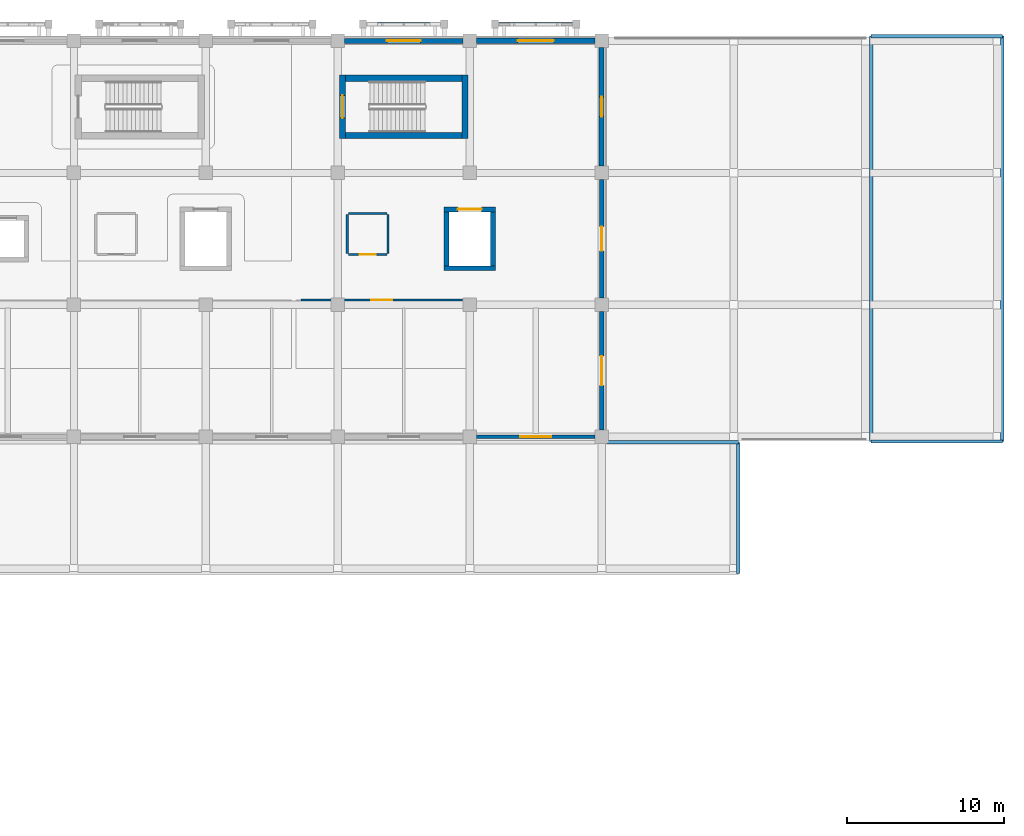
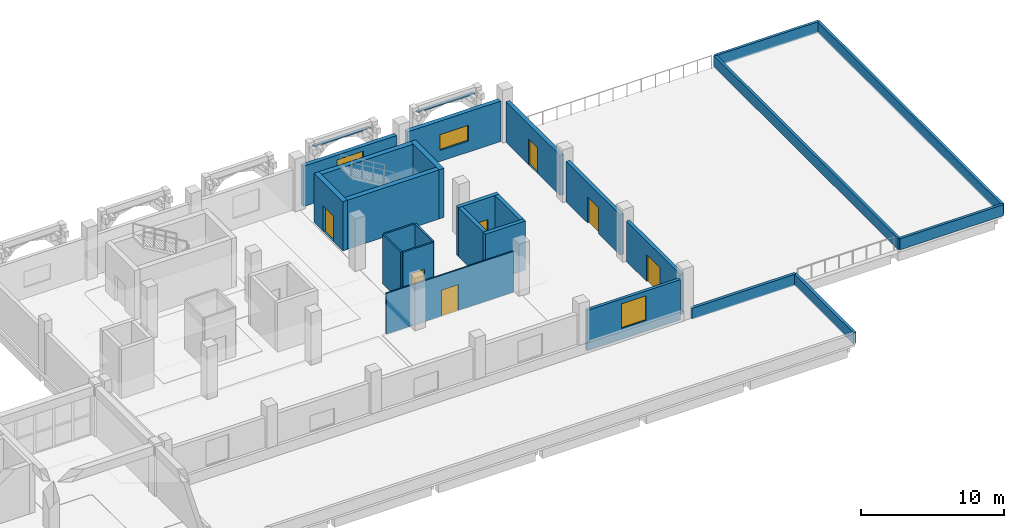
# One storey, part 115 of 129: 27 walls, 7 doors, 3 windows, 10 openings.
"""IFC4 building model written with IfcOpenShell, lengths in metres."""

from ifc_helpers import new_model, si_unit, direction, frame, frame_2d, origin, place, context, subcontext, project, spatial, rectangle, extrude, material, layer, layer_set, type_object, element, fill, save


model = new_model("IFC4")

# Units and contexts
model_context = context("Model", 3, precision=1e-05, world=origin(), true_north=direction((0.0, 1.0)))
body_context = subcontext(model_context, "Body", "Model", "MODEL_VIEW")
ifc_project = project(units=[si_unit("LENGTHUNIT", "METRE"), si_unit("AREAUNIT", "SQUARE_METRE"), si_unit("VOLUMEUNIT", "CUBIC_METRE"), si_unit("PLANEANGLEUNIT", "RADIAN"), si_unit("MASSUNIT", "GRAM", prefix="KILO")], contexts=[model_context])

# Site, building, storey
site_placement = place(None, origin())
site = spatial("IfcSite", under=ifc_project, at=site_placement, CompositionType="ELEMENT")
building_placement = place(site_placement, origin())
building = spatial("IfcBuilding", under=site, at=building_placement, Name="Xazarin Passage Department Store", CompositionType="ELEMENT")
storey_placement = place(building_placement, frame((0.0, 0.0, 9.89990234375)))
storey = spatial("IfcBuildingStorey", under=building, at=storey_placement, Name="L02", CompositionType="ELEMENT", Elevation=9.89990234375)

# Wall, opening, window
ifc_material_1 = material(Name="Precast concrete C40/50", Category="concrete")
ifc_layer_1 = layer(ifc_material_1, 0.239990234375)
ifc_layer_set_1 = layer_set([ifc_layer_1], Name="Precast concrete C40/50")
wall_type_1 = type_object("IfcWallType", Name="ARC-W-EXT240", PredefinedType="SOLIDWALL", material=ifc_layer_set_1)
wall_1_placement = place(storey_placement, frame((136.425048828125, 84.800048828125, 0.0), z_axis=(0.0, 0.0, 1.0), x_axis=(1.0, 0.0, 0.0)))
wall_1 = element("IfcWall", 1, at=wall_1_placement, inside=storey, type_object=wall_type_1, Name="L02 V4 Exterior Wall 299", PredefinedType="SOLIDWALL", context=body_context, shape_type="SweptSolid", body=[
    extrude(rectangle(XDim=7.550048828125, YDim=0.239990234375, at=frame_2d((3.77490234375, 0.0))), origin(), (0.0, 0.0, 1.0), 3.4501953125),
])
opening_1_placement = place(wall_1_placement, frame((2.77490234375, 0.0, 0.949951171875)))
opening_1 = element("IfcOpeningElement", 2, at=opening_1_placement, cuts=wall_1, Name="Opening W32", PredefinedType="OPENING", context=body_context, shape_type="SweptSolid", body=[
    extrude(rectangle(XDim=2.0, YDim=2.10009765625, at=frame_2d((1.0, 1.050048828125))), frame((0.0, 0.1298828125, 0.0), z_axis=(0.0, -1.0, 0.0), x_axis=(1.0, 0.0, 0.0)), (0.0, 0.0, 1.0), 0.260009765625),
])
ifc_material_2 = material(Name="Low-E laminated safety glass", Category="glass")
window_type_1 = type_object("IfcWindowType", Name="ARC-WIN-W32", PartitioningType="DOUBLE_PANEL_VERTICAL", PredefinedType="WINDOW", material=ifc_material_2)
window_1_placement = place(opening_1_placement, origin())
window_1 = element("IfcWindow", 3, at=window_1_placement, inside=storey, type_object=window_type_1, Name="L02 V4 Facade Window 0080", OverallHeight=2.10009765625, OverallWidth=2.0, PartitioningType="DOUBLE_PANEL_VERTICAL", PredefinedType="WINDOW", context=body_context, shape_type="SweptSolid", body=[
    extrude(rectangle(XDim=2.0, YDim=2.10009765625, at=frame_2d((1.0, 1.050048828125))), frame((0.0, 0.030029296875, 0.0), z_axis=(0.0, -1.0, 0.0), x_axis=(1.0, 0.0, 0.0)), (0.0, 0.0, 1.0), 0.06005859375),
])
fill(opening_1, window_1)

# Wall, opening, door
ifc_layer_2 = layer(ifc_material_1, 0.280029296875)
ifc_layer_set_2 = layer_set([ifc_layer_2], Name="Precast concrete C40/50")
wall_type_2 = type_object("IfcWallType", Name="ARC-W-EXT280", PredefinedType="SOLIDWALL", material=ifc_layer_set_2)
wall_2_placement = place(storey_placement, frame((144.39990234375, 85.22509765625, 0.0), z_axis=(0.0, 0.0, 1.0), x_axis=(0.0, 1.0, 0.0)))
wall_2 = element("IfcWall", 4, at=wall_2_placement, inside=storey, type_object=wall_type_2, Name="L02 V4 Exterior Wall 308", PredefinedType="SOLIDWALL", context=body_context, shape_type="SweptSolid", body=[
    extrude(rectangle(XDim=7.5498046875, YDim=0.280029296875, at=frame_2d((3.77490234375, 0.0))), origin(), (0.0, 0.0, 1.0), 3.4501953125),
])
opening_2_placement = place(wall_2_placement, frame((2.85009765625, 0.0, 0.0)))
opening_2 = element("IfcOpeningElement", 5, at=opening_2_placement, cuts=wall_2, Name="Opening TD1", PredefinedType="OPENING", context=body_context, shape_type="SweptSolid", body=[
    extrude(rectangle(XDim=1.85009765625, YDim=2.300048828125, at=frame_2d((0.925048828125, 1.14990234375))), frame((0.0, 0.14990234375, 0.0), z_axis=(0.0, -1.0, 0.0), x_axis=(1.0, 0.0, 0.0)), (0.0, 0.0, 1.0), 0.300048828125),
])
ifc_material_3 = material(Name="Bronze anodised aluminium", Category="aluminium")
door_type_1 = type_object("IfcDoorType", Name="ARC-DR-TER185", OperationType="NOTDEFINED", PredefinedType="DOOR", material=ifc_material_3)
door_1_placement = place(opening_2_placement, origin())
door_1 = element("IfcDoor", 6, at=door_1_placement, inside=storey, type_object=door_type_1, Name="DR-TER-L02-031", OperationType="DOUBLE_DOOR_SINGLE_SWING", OverallHeight=2.300048828125, OverallWidth=1.85009765625, PredefinedType="DOOR", context=body_context, shape_type="SweptSolid", body=[
    extrude(rectangle(XDim=1.85009765625, YDim=2.300048828125, at=frame_2d((0.925048828125, 1.14990234375))), frame((0.0, 0.02490234375, 0.0), z_axis=(0.0, -1.0, 0.0), x_axis=(1.0, 0.0, 0.0)), (0.0, 0.0, 1.0), 0.050048828125),
])
fill(opening_2, door_1)

ifc_layer_3 = layer(ifc_material_1, 0.300048828125)
ifc_layer_set_3 = layer_set([ifc_layer_3], Name="Precast concrete C40/50")
wall_type_3 = type_object("IfcWallType", Name="ARC-W-EXT300", PredefinedType="SOLIDWALL", material=ifc_layer_set_3)
wall_3_placement = place(storey_placement, frame((144.39990234375, 93.625, 0.0), z_axis=(0.0, 0.0, 1.0), x_axis=(0.0, 1.0, 0.0)))
wall_3 = element("IfcWall", 7, at=wall_3_placement, inside=storey, type_object=wall_type_3, Name="L02 V4 Exterior Wall 309", PredefinedType="SOLIDWALL", context=body_context, shape_type="SweptSolid", body=[
    extrude(rectangle(XDim=7.550048828125, YDim=0.300048828125, at=frame_2d((3.77490234375, 0.0))), origin(), (0.0, 0.0, 1.0), 3.4501953125),
])
opening_3_placement = place(wall_3_placement, frame((3.0, 0.0, 0.0)))
opening_3 = element("IfcOpeningElement", 8, at=opening_3_placement, cuts=wall_3, Name="Opening TD2", PredefinedType="OPENING", context=body_context, shape_type="SweptSolid", body=[
    extrude(rectangle(XDim=1.550048828125, YDim=2.25, at=frame_2d((0.77490234375, 1.125))), frame((0.0, 0.159912109375, 0.0), z_axis=(0.0, -1.0, 0.0), x_axis=(1.0, 0.0, 0.0)), (0.0, 0.0, 1.0), 0.320068359375),
])
door_type_2 = type_object("IfcDoorType", Name="ARC-DR-TER155", OperationType="NOTDEFINED", PredefinedType="DOOR", material=ifc_material_3)
door_2_placement = place(opening_3_placement, origin())
door_2 = element("IfcDoor", 9, at=door_2_placement, inside=storey, type_object=door_type_2, Name="DR-TER-L02-032", OperationType="SINGLE_SWING_LEFT", OverallHeight=2.25, OverallWidth=1.550048828125, PredefinedType="DOOR", context=body_context, shape_type="SweptSolid", body=[
    extrude(rectangle(XDim=1.550048828125, YDim=2.25, at=frame_2d((0.77490234375, 1.125))), frame((0.0, 0.02490234375, 0.0), z_axis=(0.0, -1.0, 0.0), x_axis=(1.0, 0.0, 0.0)), (0.0, 0.0, 1.0), 0.050048828125),
])
fill(opening_3, door_2)

# Wall, opening, window
ifc_material_4 = material(Name="Buff Baku clay brick", Category="masonry")
ifc_layer_4 = layer(ifc_material_4, 0.320068359375)
ifc_layer_set_4 = layer_set([ifc_layer_4], Name="Buff Baku clay brick")
wall_type_4 = type_object("IfcWallType", Name="ARC-W-EXT320", PredefinedType="SOLIDWALL", material=ifc_layer_set_4)
wall_4_placement = place(storey_placement, frame((128.02490234375, 110.0, 0.0), z_axis=(0.0, 0.0, 1.0), x_axis=(1.0, 0.0, 0.0)))
wall_4 = element("IfcWall", 10, at=wall_4_placement, inside=storey, type_object=wall_type_4, Name="L02 V4 Exterior Wall 303", PredefinedType="SOLIDWALL", context=body_context, shape_type="SweptSolid", body=[
    extrude(rectangle(XDim=7.550048828125, YDim=0.320068359375, at=frame_2d((3.77490234375, 0.0))), origin(), (0.0, 0.0, 1.0), 3.4501953125),
])
opening_4_placement = place(wall_4_placement, frame((2.699951171875, 0.0, 0.949951171875)))
opening_4 = element("IfcOpeningElement", 11, at=opening_4_placement, cuts=wall_4, Name="Opening W36", PredefinedType="OPENING", context=body_context, shape_type="SweptSolid", body=[
    extrude(rectangle(XDim=2.14990234375, YDim=2.10009765625, at=frame_2d((1.074951171875, 1.050048828125))), frame((0.0, 0.169921875, 0.0), z_axis=(0.0, -1.0, 0.0), x_axis=(1.0, 0.0, 0.0)), (0.0, 0.0, 1.0), 0.340087890625),
])
window_type_2 = type_object("IfcWindowType", Name="ARC-WIN-W36", PartitioningType="DOUBLE_PANEL_VERTICAL", PredefinedType="WINDOW", material=ifc_material_2)
window_2_placement = place(opening_4_placement, origin())
window_2 = element("IfcWindow", 12, at=window_2_placement, inside=storey, type_object=window_type_2, Name="L02 V4 Facade Window 0084", OverallHeight=2.10009765625, OverallWidth=2.14990234375, PartitioningType="DOUBLE_PANEL_VERTICAL", PredefinedType="WINDOW", context=body_context, shape_type="SweptSolid", body=[
    extrude(rectangle(XDim=2.14990234375, YDim=2.10009765625, at=frame_2d((1.074951171875, 1.050048828125))), frame((0.0, 0.030029296875, 0.0), z_axis=(0.0, -1.0, 0.0), x_axis=(1.0, 0.0, 0.0)), (0.0, 0.0, 1.0), 0.06005859375),
])
fill(opening_4, window_2)

# Wall, opening, door
wall_5_placement = place(storey_placement, frame((144.39990234375, 102.02490234375, 0.0), z_axis=(0.0, 0.0, 1.0), x_axis=(0.0, 1.0, 0.0)))
wall_5 = element("IfcWall", 13, at=wall_5_placement, inside=storey, type_object=wall_type_4, Name="L02 V4 Exterior Wall 310", PredefinedType="SOLIDWALL", context=body_context, shape_type="SweptSolid", body=[
    extrude(rectangle(XDim=7.550048828125, YDim=0.320068359375, at=frame_2d((3.77490234375, 0.0))), origin(), (0.0, 0.0, 1.0), 3.4501953125),
])
opening_5_placement = place(wall_5_placement, frame((3.14990234375, 0.0, 0.0)))
opening_5 = element("IfcOpeningElement", 14, at=opening_5_placement, cuts=wall_5, Name="Opening TD3", PredefinedType="OPENING", context=body_context, shape_type="SweptSolid", body=[
    extrude(rectangle(XDim=1.25, YDim=2.199951171875, at=frame_2d((0.625, 1.10009765625))), frame((0.0, 0.169921875, 0.0), z_axis=(0.0, -1.0, 0.0), x_axis=(1.0, 0.0, 0.0)), (0.0, 0.0, 1.0), 0.340087890625),
])
door_type_3 = type_object("IfcDoorType", Name="ARC-DR-TER125", OperationType="NOTDEFINED", PredefinedType="DOOR", material=ifc_material_3)
door_3_placement = place(opening_5_placement, origin())
door_3 = element("IfcDoor", 15, at=door_3_placement, inside=storey, type_object=door_type_3, Name="DR-TER-L02-033", OperationType="SINGLE_SWING_RIGHT", OverallHeight=2.199951171875, OverallWidth=1.25, PredefinedType="DOOR", context=body_context, shape_type="SweptSolid", body=[
    extrude(rectangle(XDim=1.25, YDim=2.199951171875, at=frame_2d((0.625, 1.10009765625))), frame((0.0, 0.02490234375, 0.0), z_axis=(0.0, -1.0, 0.0), x_axis=(1.0, 0.0, 0.0)), (0.0, 0.0, 1.0), 0.050048828125),
])
fill(opening_5, door_3)

# Wall, opening, window
ifc_material_5 = material(Name="Absheron limestone cladding", Category="masonry")
ifc_layer_5 = layer(ifc_material_5, 0.340087890625)
ifc_layer_set_5 = layer_set([ifc_layer_5], Name="Absheron limestone cladding")
wall_type_5 = type_object("IfcWallType", Name="ARC-W-EXT340", PredefinedType="SOLIDWALL", material=ifc_layer_set_5)
wall_6_placement = place(storey_placement, frame((136.425048828125, 110.0, 0.0), z_axis=(0.0, 0.0, 1.0), x_axis=(1.0, 0.0, 0.0)))
wall_6 = element("IfcWall", 16, at=wall_6_placement, inside=storey, type_object=wall_type_5, Name="L02 V4 Exterior Wall 304", PredefinedType="SOLIDWALL", context=body_context, shape_type="SweptSolid", body=[
    extrude(rectangle(XDim=7.550048828125, YDim=0.340087890625, at=frame_2d((3.77490234375, 0.0))), origin(), (0.0, 0.0, 1.0), 3.4501953125),
])
opening_6_placement = place(wall_6_placement, frame((2.625, 0.0, 0.949951171875)))
opening_6 = element("IfcOpeningElement", 17, at=opening_6_placement, cuts=wall_6, Name="Opening W37", PredefinedType="OPENING", context=body_context, shape_type="SweptSolid", body=[
    extrude(rectangle(XDim=2.300048828125, YDim=1.35009765625, at=frame_2d((1.14990234375, 0.675048828125))), frame((0.0, 0.179931640625, 0.0), z_axis=(0.0, -1.0, 0.0), x_axis=(1.0, 0.0, 0.0)), (0.0, 0.0, 1.0), 0.360107421875),
])
window_type_3 = type_object("IfcWindowType", Name="ARC-WIN-W37", PartitioningType="DOUBLE_PANEL_VERTICAL", PredefinedType="WINDOW", material=ifc_material_2)
window_3_placement = place(opening_6_placement, origin())
window_3 = element("IfcWindow", 18, at=window_3_placement, inside=storey, type_object=window_type_3, Name="L02 V4 Facade Window 0085", OverallHeight=1.35009765625, OverallWidth=2.300048828125, PartitioningType="DOUBLE_PANEL_VERTICAL", PredefinedType="WINDOW", context=body_context, shape_type="SweptSolid", body=[
    extrude(rectangle(XDim=2.300048828125, YDim=1.35009765625, at=frame_2d((1.14990234375, 0.675048828125))), frame((0.0, 0.030029296875, 0.0), z_axis=(0.0, -1.0, 0.0), x_axis=(1.0, 0.0, 0.0)), (0.0, 0.0, 1.0), 0.06005859375),
])
fill(opening_6, window_3)

# Walls
ifc_layer_6 = layer(ifc_material_1, 0.2099609375)
ifc_layer_set_6 = layer_set([ifc_layer_6], Name="Precast concrete C40/50")
wall_type_6 = type_object("IfcWallType", Name="ARC-W-PAR210", PredefinedType="PARAPET", material=ifc_layer_set_6)
for number, where, z_axis, x_axis, name in (
    (19, (129.469970703125, 111.050048828125, 3.880126953125), (0.0, 0.0, 1.0), (1.0, 0.0, 0.0), "L02 V4 Pierced-Arch Spandrel Lintel 0159"),
    (20, (137.8701171875, 111.050048828125, 3.880126953125), (0.0, 0.0, 1.0), (1.0, 0.0, 0.0), "L02 V4 Pierced-Arch Spandrel Lintel 0163"),
):
    element("IfcWall", number, at=place(storey_placement, frame(where, z_axis=z_axis, x_axis=x_axis)), inside=storey, type_object=wall_type_6, Name=name, PredefinedType="PARAPET", context=body_context, shape_type="SweptSolid", body=[
        extrude(rectangle(XDim=4.659912109375, YDim=0.2099609375, at=frame_2d((2.330078125, 0.0))), origin(), (0.0, 0.0, 1.0), 0.119873046875),
    ])
wall_7_placement = place(storey_placement, frame((161.550048828125, 110.300048828125, 0.0), z_axis=(0.0, 0.0, 1.0), x_axis=(0.0, -1.0, 0.0)))
element("IfcWall", 21, at=wall_7_placement, inside=storey, type_object=wall_type_6, Name="L02 Roof Parapet 044", PredefinedType="PARAPET", context=body_context, shape_type="SweptSolid", body=[
    extrude(rectangle(XDim=25.800048828125, YDim=0.2099609375, at=frame_2d((12.89990234375, 0.0))), origin(), (0.0, 0.0, 1.0), 0.9501953125),
])
wall_8_placement = place(storey_placement, frame((161.550048828125, 84.5, 0.0), z_axis=(0.0, 0.0, 1.0), x_axis=(1.0, 0.0, 0.0)))
element("IfcWall", 22, at=wall_8_placement, inside=storey, type_object=wall_type_6, Name="L02 Roof Parapet 045", PredefinedType="PARAPET", context=body_context, shape_type="SweptSolid", body=[
    extrude(rectangle(XDim=8.349853515625, YDim=0.2099609375, at=frame_2d((4.1748046875, 0.0))), origin(), (0.0, 0.0, 1.0), 0.9501953125),
])
wall_9_placement = place(storey_placement, frame((169.89990234375, 84.5, 0.0), z_axis=(0.0, 0.0, 1.0), x_axis=(0.0, 1.0, 0.0)))
element("IfcWall", 23, at=wall_9_placement, inside=storey, type_object=wall_type_6, Name="L02 Roof Parapet 046", PredefinedType="PARAPET", context=body_context, shape_type="SweptSolid", body=[
    extrude(rectangle(XDim=25.800048828125, YDim=0.2099609375, at=frame_2d((12.89990234375, 0.0))), origin(), (0.0, 0.0, 1.0), 0.9501953125),
])
wall_10_placement = place(storey_placement, frame((169.89990234375, 110.300048828125, 0.0), z_axis=(0.0, 0.0, 1.0), x_axis=(-1.0, 0.0, 0.0)))
element("IfcWall", 24, at=wall_10_placement, inside=storey, type_object=wall_type_6, Name="L02 Roof Parapet 047", PredefinedType="PARAPET", context=body_context, shape_type="SweptSolid", body=[
    extrude(rectangle(XDim=8.349853515625, YDim=0.2099609375, at=frame_2d((4.1748046875, 0.0))), origin(), (0.0, 0.0, 1.0), 0.9501953125),
])
ifc_layer_7 = layer(ifc_material_1, 0.22998046875)
ifc_layer_set_7 = layer_set([ifc_layer_7], Name="Precast concrete C40/50")
wall_type_7 = type_object("IfcWallType", Name="ARC-W-PAR230", PredefinedType="PARAPET", material=ifc_layer_set_7)
wall_11_placement = place(storey_placement, frame((153.10009765625, 76.10009765625, 0.0), z_axis=(0.0, 0.0, 1.0), x_axis=(0.0, 1.0, 0.0)))
element("IfcWall", 25, at=wall_11_placement, inside=storey, type_object=wall_type_7, Name="L02 Roof Parapet 040", PredefinedType="PARAPET", context=body_context, shape_type="SweptSolid", body=[
    extrude(rectangle(XDim=8.349853515625, YDim=0.22998046875, at=frame_2d((4.1748046875, 0.0))), origin(), (0.0, 0.0, 1.0), 0.9501953125),
])
wall_12_placement = place(storey_placement, frame((153.10009765625, 84.449951171875, 0.0), z_axis=(0.0, 0.0, 1.0), x_axis=(-1.0, 0.0, 0.0)))
element("IfcWall", 26, at=wall_12_placement, inside=storey, type_object=wall_type_7, Name="L02 Roof Parapet 041", PredefinedType="PARAPET", context=body_context, shape_type="SweptSolid", body=[
    extrude(rectangle(XDim=8.400146484375, YDim=0.22998046875, at=frame_2d((4.2001953125, 0.0))), origin(), (0.0, 0.0, 1.0), 0.9501953125),
])

# Wall, opening, door
ifc_material_6 = material(Name="Gypsum board acoustic partition")
ifc_layer_8 = layer(ifc_material_6, 0.110107421875)
ifc_layer_set_8 = layer_set([ifc_layer_8], Name="Gypsum board acoustic partition")
wall_type_8 = type_object("IfcWallType", Name="ARC-W-PRT110", PredefinedType="PARTITIONING", material=ifc_layer_set_8)
wall_13_placement = place(storey_placement, frame((125.27001953125, 93.5, 0.0), z_axis=(0.0, 0.0, 1.0), x_axis=(1.0, 0.0, 0.0)))
wall_13 = element("IfcWall", 27, at=wall_13_placement, inside=storey, type_object=wall_type_8, Name="L02 Visual Props Workshop Front Wall 0196", PredefinedType="PARTITIONING", context=body_context, shape_type="SweptSolid", body=[
    extrude(rectangle(XDim=10.260009765625, YDim=0.110107421875, at=frame_2d((5.1298828125, 0.0))), origin(), (0.0, 0.0, 1.0), 3.5),
])
opening_7_placement = place(wall_13_placement, frame((4.449951171875, 0.0, 0.0)))
opening_7 = element("IfcOpeningElement", 28, at=opening_7_placement, cuts=wall_13, Name="Opening ID32", PredefinedType="OPENING", context=body_context, shape_type="SweptSolid", body=[
    extrude(rectangle(XDim=1.360107421875, YDim=2.219970703125, at=frame_2d((0.68017578125, 1.10986328125))), frame((0.0, 0.06494140625, 0.0), z_axis=(0.0, -1.0, 0.0), x_axis=(1.0, 0.0, 0.0)), (0.0, 0.0, 1.0), 0.130126953125),
])
ifc_material_7 = material(Name="Timber acoustic leaf", Category="wood")
door_type_4 = type_object("IfcDoorType", Name="ARC-DR-ID32", OperationType="NOTDEFINED", PredefinedType="DOOR", material=ifc_material_7)
door_4_placement = place(opening_7_placement, origin())
door_4 = element("IfcDoor", 29, at=door_4_placement, inside=storey, type_object=door_type_4, Name="DR-INT-L02-0196", OperationType="SINGLE_SWING_RIGHT", OverallHeight=2.219970703125, OverallWidth=1.360107421875, PredefinedType="DOOR", context=body_context, shape_type="SweptSolid", body=[
    extrude(rectangle(XDim=1.360107421875, YDim=2.219970703125, at=frame_2d((0.68017578125, 1.10986328125))), frame((0.0, 0.02490234375, 0.0), z_axis=(0.0, -1.0, 0.0), x_axis=(1.0, 0.0, 0.0)), (0.0, 0.0, 1.0), 0.050048828125),
])
fill(opening_7, door_4)

ifc_material_8 = material(Name="Moisture-resistant masonry partition", Category="masonry")
ifc_layer_9 = layer(ifc_material_8, 0.139892578125)
ifc_layer_set_9 = layer_set([ifc_layer_9], Name="Moisture-resistant masonry partition")
wall_type_9 = type_object("IfcWallType", Name="ARC-W-PRT140", PredefinedType="PARTITIONING", material=ifc_layer_set_9)
wall_14_placement = place(storey_placement, frame((128.27001953125, 96.39990234375, 0.0), z_axis=(0.0, 0.0, 1.0), x_axis=(1.0, 0.0, 0.0)))
wall_14 = element("IfcWall", 30, at=wall_14_placement, inside=storey, type_object=wall_type_9, Name="L02 Accessible WC 0192", PredefinedType="PARTITIONING", context=body_context, shape_type="SweptSolid", body=[
    extrude(rectangle(XDim=2.4599609375, YDim=0.139892578125, at=frame_2d((1.22998046875, 0.0))), origin(), (0.0, 0.0, 1.0), 4.2001953125),
])
opening_8_placement = place(wall_14_placement, frame((0.719970703125, 0.0, 0.0)))
opening_8 = element("IfcOpeningElement", 31, at=opening_8_placement, cuts=wall_14, Name="Opening ID2", PredefinedType="OPENING", context=body_context, shape_type="SweptSolid", body=[
    extrude(rectangle(XDim=1.02001953125, YDim=2.14990234375, at=frame_2d((0.510009765625, 1.074951171875))), frame((0.0, 0.079833984375, 0.0), z_axis=(0.0, -1.0, 0.0), x_axis=(1.0, 0.0, 0.0)), (0.0, 0.0, 1.0), 0.159912109375),
])
door_type_5 = type_object("IfcDoorType", Name="ARC-DR-AWC102", OperationType="NOTDEFINED", PredefinedType="DOOR", material=ifc_material_7)
door_5_placement = place(opening_8_placement, origin())
door_5 = element("IfcDoor", 32, at=door_5_placement, inside=storey, type_object=door_type_5, Name="DR-INT-L02-0192", OperationType="SINGLE_SWING_LEFT", OverallHeight=2.14990234375, OverallWidth=1.02001953125, PredefinedType="DOOR", context=body_context, shape_type="SweptSolid", body=[
    extrude(rectangle(XDim=1.02001953125, YDim=2.14990234375, at=frame_2d((0.510009765625, 1.074951171875))), frame((0.0, 0.02490234375, 0.0), z_axis=(0.0, -1.0, 0.0), x_axis=(1.0, 0.0, 0.0)), (0.0, 0.0, 1.0), 0.050048828125),
])
fill(opening_8, door_5)

# Walls
for number, where, z_axis, x_axis, name in (
    (33, (128.27001953125, 99.0, 0.0), (0.0, 0.0, 1.0), (1.0, 0.0, 0.0), "L02 Accessible WC Back Wall 0193"),
    (34, (128.199951171875, 96.469970703125, 0.0), (0.0, 0.0, 1.0), (0.0, 1.0, 0.0), "L02 Accessible WC Side Wall 0194"),
    (35, (130.800048828125, 96.469970703125, 0.0), (0.0, 0.0, 1.0), (0.0, 1.0, 0.0), "L02 Accessible WC Side Wall 0195"),
):
    element("IfcWall", number, at=place(storey_placement, frame(where, z_axis=z_axis, x_axis=x_axis)), inside=storey, type_object=wall_type_9, Name=name, PredefinedType="PARTITIONING", context=body_context, shape_type="SweptSolid", body=[
        extrude(rectangle(XDim=2.4599609375, YDim=0.139892578125, at=frame_2d((1.22998046875, 0.0))), origin(), (0.0, 0.0, 1.0), 4.2001953125),
    ])
ifc_material_9 = material(Name="Concrete C40/50", Category="concrete")
ifc_layer_10 = layer(ifc_material_9, 0.31005859375)
ifc_layer_set_10 = layer_set([ifc_layer_10], Name="Concrete C40/50")
wall_type_10 = type_object("IfcWallType", Name="STR-W-LFT310", PredefinedType="SHEAR", material=ifc_layer_set_10)
wall_15_placement = place(storey_placement, frame((134.3701171875, 95.52490234375, 0.0), z_axis=(0.0, 0.0, 1.0), x_axis=(1.0, 0.0, 0.0)))
element("IfcWall", 36, at=wall_15_placement, inside=storey, type_object=wall_type_10, Name="L02 Lift GL2 Shaft Wall South", PredefinedType="SHEAR", context=body_context, shape_type="SweptSolid", body=[
    extrude(rectangle(XDim=3.259765625, YDim=0.31005859375, at=frame_2d((1.6298828125, 0.0))), origin(), (0.0, 0.0, 1.0), 4.2001953125),
])

# Wall, opening, door
wall_16_placement = place(storey_placement, frame((134.3701171875, 99.27490234375, 0.0), z_axis=(0.0, 0.0, 1.0), x_axis=(1.0, 0.0, 0.0)))
wall_16 = element("IfcWall", 37, at=wall_16_placement, inside=storey, type_object=wall_type_10, Name="L02 Lift GL2 Shaft Wall North", PredefinedType="SHEAR", context=body_context, shape_type="SweptSolid", body=[
    extrude(rectangle(XDim=3.259765625, YDim=0.31005859375, at=frame_2d((1.6298828125, 0.0))), origin(), (0.0, 0.0, 1.0), 4.2001953125),
])
opening_9_placement = place(wall_16_placement, frame((0.8798828125, 0.0, 0.0)))
opening_9 = element("IfcOpeningElement", 38, at=opening_9_placement, cuts=wall_16, Name="Opening LD-GL2-L02", PredefinedType="OPENING", context=body_context, shape_type="SweptSolid", body=[
    extrude(rectangle(XDim=1.5, YDim=2.35009765625, at=frame_2d((0.75, 1.175048828125))), frame((0.0, 0.1650390625, 0.0), z_axis=(0.0, -1.0, 0.0), x_axis=(1.0, 0.0, 0.0)), (0.0, 0.0, 1.0), 0.330078125),
])
ifc_material_10 = material(Name="Steel S355", Category="steel")
door_type_6 = type_object("IfcDoorType", Name="ARC-DR-LD150", OperationType="NOTDEFINED", PredefinedType="DOOR", material=ifc_material_10)
door_6_placement = place(opening_9_placement, origin())
door_6 = element("IfcDoor", 39, at=door_6_placement, inside=storey, type_object=door_type_6, Name="DR-LD-GL2-L02", OperationType="SLIDING_TO_LEFT", OverallHeight=2.35009765625, OverallWidth=1.5, PredefinedType="DOOR", context=body_context, shape_type="SweptSolid", body=[
    extrude(rectangle(XDim=1.5, YDim=2.35009765625, at=frame_2d((0.75, 1.175048828125))), frame((0.0, 0.02490234375, 0.0), z_axis=(0.0, -1.0, 0.0), x_axis=(1.0, 0.0, 0.0)), (0.0, 0.0, 1.0), 0.050048828125),
])
fill(opening_9, door_6)

# Walls
for number, where, z_axis, x_axis, name in (
    (40, (134.52490234375, 95.679931640625, 0.0), (0.0, 0.0, 1.0), (0.0, 1.0, 0.0), "L02 Lift GL2 Shaft Wall West"),
    (41, (137.47509765625, 95.679931640625, 0.0), (0.0, 0.0, 1.0), (0.0, 1.0, 0.0), "L02 Lift GL2 Shaft Wall East"),
):
    element("IfcWall", number, at=place(storey_placement, frame(where, z_axis=z_axis, x_axis=x_axis)), inside=storey, type_object=wall_type_10, Name=name, PredefinedType="SHEAR", context=body_context, shape_type="SweptSolid", body=[
        extrude(rectangle(XDim=3.440185546875, YDim=0.31005859375, at=frame_2d((1.72021484375, 0.0))), origin(), (0.0, 0.0, 1.0), 4.2001953125),
    ])

# Wall, opening, door
ifc_layer_11 = layer(ifc_material_9, 0.389892578125)
ifc_layer_set_11 = layer_set([ifc_layer_11], Name="Concrete C40/50")
wall_type_11 = type_object("IfcWallType", Name="STR-W-SHR390", PredefinedType="SHEAR", material=ifc_layer_set_11)
wall_17_placement = place(storey_placement, frame((127.905029296875, 107.81005859375, 0.0), z_axis=(0.0, 0.0, 1.0), x_axis=(0.0, -1.0, 0.0)))
wall_17 = element("IfcWall", 42, at=wall_17_placement, inside=storey, type_object=wall_type_11, Name="L02 Core K11 West Shear Wall", PredefinedType="SHEAR", context=body_context, shape_type="SweptSolid", body=[
    extrude(rectangle(XDim=4.02001953125, YDim=0.389892578125, at=frame_2d((2.010009765625, 0.0))), origin(), (0.0, 0.0, 1.0), 4.2001953125),
])
opening_10_placement = place(wall_17_placement, frame((1.284912109375, 0.0, 0.0)))
opening_10 = element("IfcOpeningElement", 43, at=opening_10_placement, cuts=wall_17, Name="Opening FD1", PredefinedType="OPENING", context=body_context, shape_type="SweptSolid", body=[
    extrude(rectangle(XDim=1.449951171875, YDim=2.199951171875, at=frame_2d((0.72509765625, 1.10009765625))), frame((0.0, 0.204833984375, 0.0), z_axis=(0.0, -1.0, 0.0), x_axis=(1.0, 0.0, 0.0)), (0.0, 0.0, 1.0), 0.409912109375),
])
door_type_7 = type_object("IfcDoorType", Name="ARC-DR-STR145", OperationType="NOTDEFINED", PredefinedType="DOOR", material=ifc_material_10)
door_7_placement = place(opening_10_placement, origin())
door_7 = element("IfcDoor", 44, at=door_7_placement, inside=storey, type_object=door_type_7, Name="DR-STR-K11-L02", OperationType="SINGLE_SWING_RIGHT", OverallHeight=2.199951171875, OverallWidth=1.449951171875, PredefinedType="DOOR", context=body_context, shape_type="SweptSolid", body=[
    extrude(rectangle(XDim=1.449951171875, YDim=2.199951171875, at=frame_2d((0.72509765625, 1.10009765625))), frame((0.0, 0.02490234375, 0.0), z_axis=(0.0, -1.0, 0.0), x_axis=(1.0, 0.0, 0.0)), (0.0, 0.0, 1.0), 0.050048828125),
])
fill(opening_10, door_7)

# Walls
wall_18_placement = place(storey_placement, frame((135.695068359375, 103.7900390625, 0.0), z_axis=(0.0, 0.0, 1.0), x_axis=(0.0, 1.0, 0.0)))
element("IfcWall", 45, at=wall_18_placement, inside=storey, type_object=wall_type_11, Name="L02 Core K11 East Shear Wall", PredefinedType="SHEAR", context=body_context, shape_type="SweptSolid", body=[
    extrude(rectangle(XDim=4.02001953125, YDim=0.389892578125, at=frame_2d((2.010009765625, 0.0))), origin(), (0.0, 0.0, 1.0), 4.2001953125),
])
for number, where, z_axis, x_axis, name in (
    (46, (128.10009765625, 103.985107421875, 0.0), (0.0, 0.0, 1.0), (1.0, 0.0, 0.0), "L02 Core K11 South Shear Wall"),
    (47, (128.10009765625, 107.614990234375, 0.0), (0.0, 0.0, 1.0), (1.0, 0.0, 0.0), "L02 Core K11 North Shear Wall"),
):
    element("IfcWall", number, at=place(storey_placement, frame(where, z_axis=z_axis, x_axis=x_axis)), inside=storey, type_object=wall_type_11, Name=name, PredefinedType="SHEAR", context=body_context, shape_type="SweptSolid", body=[
        extrude(rectangle(XDim=7.39990234375, YDim=0.389892578125, at=frame_2d((3.699951171875, 0.0))), origin(), (0.0, 0.0, 1.0), 4.2001953125),
    ])

save(model, "model.ifc")
